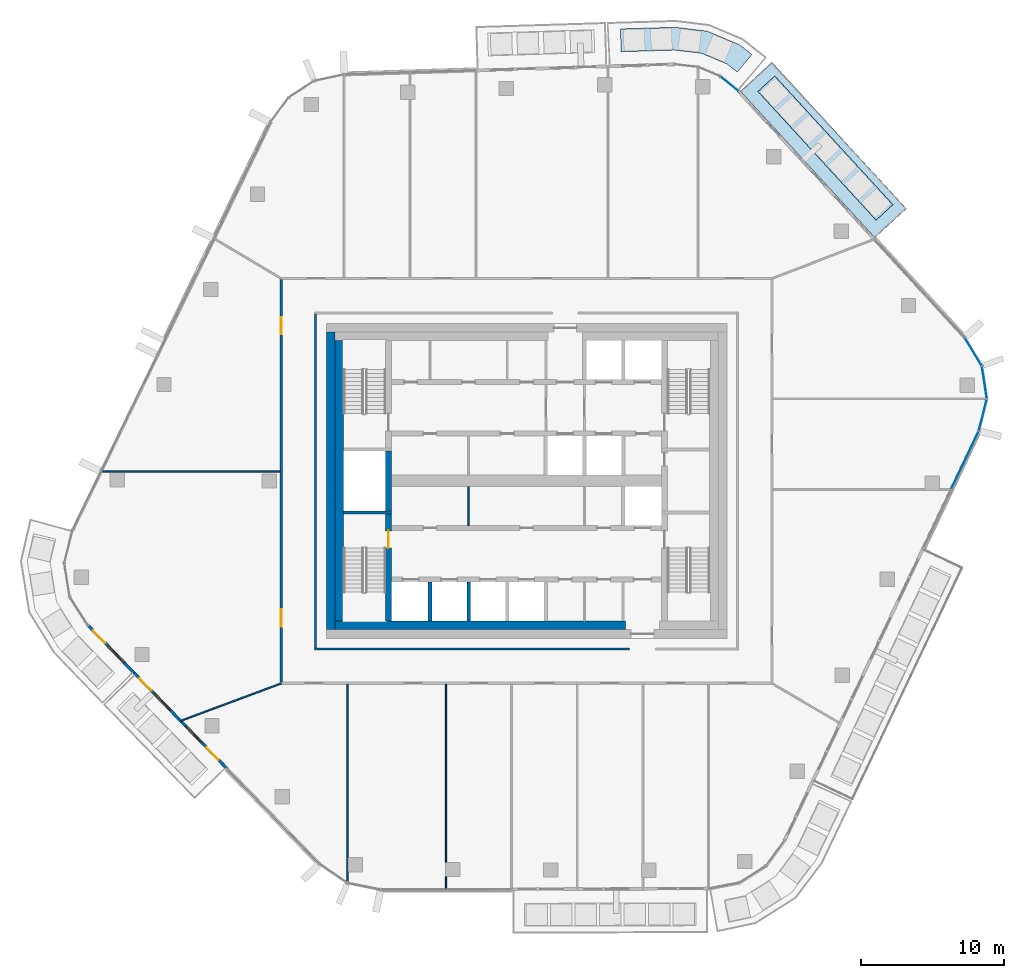
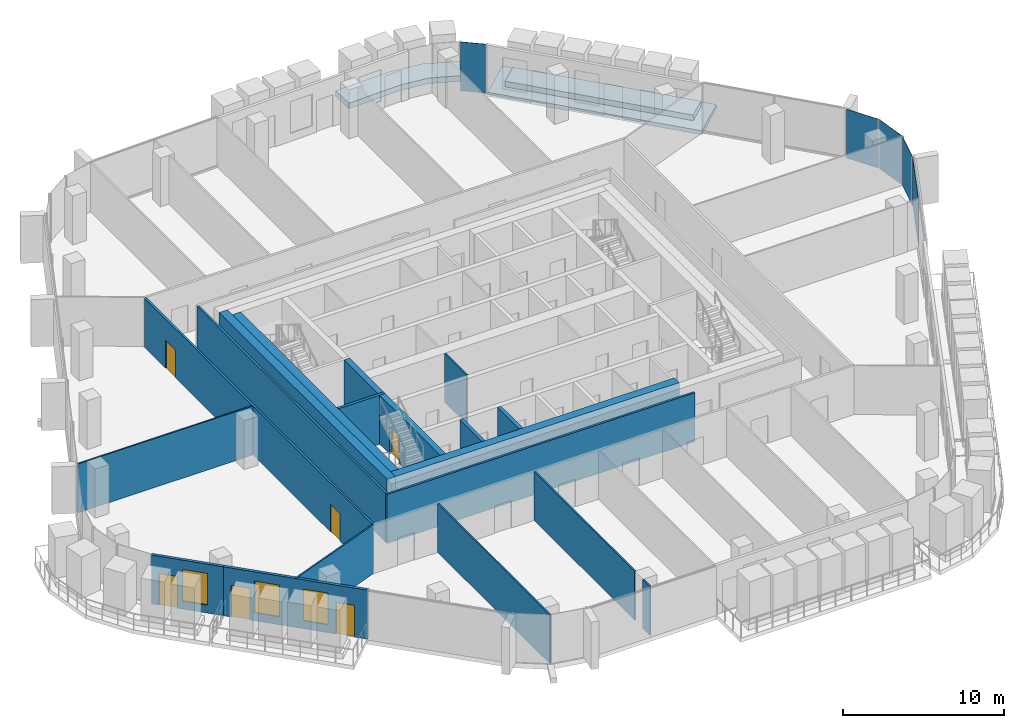
# One storey, part 12 of 24: 19 walls, 6 doors, 5 plates, 3 slabs, 3 windows, 9 openings, 3 elements without a shape of their own.
"""IFC4 building model written with IfcOpenShell, lengths in metres."""

from ifc_helpers import new_model, si_unit, direction, frame, frame_2d, origin, origin_2d, place, context, subcontext, project, spatial, polyline, rectangle, outline, extrude, material, layer, layer_set, type_object, element, fill, aggregate, save


model = new_model("IFC4")

# Units and contexts
model_context = context("Model", 3, precision=1e-05, world=origin(), true_north=direction((0.0, 1.0)))
body_context = subcontext(model_context, "Body", "Model", "MODEL_VIEW")
ifc_project = project(units=[si_unit("LENGTHUNIT", "METRE"), si_unit("AREAUNIT", "SQUARE_METRE"), si_unit("VOLUMEUNIT", "CUBIC_METRE"), si_unit("PLANEANGLEUNIT", "RADIAN"), si_unit("MASSUNIT", "GRAM", prefix="KILO")], contexts=[model_context])

# Site, building, storey
site_placement = place(None, origin())
site = spatial("IfcSite", under=ifc_project, at=site_placement, CompositionType="ELEMENT")
building_placement = place(site_placement, origin())
building = spatial("IfcBuilding", under=site, at=building_placement, Name="Dongbaek Canopy Tower", CompositionType="ELEMENT")
storey_placement = place(building_placement, frame((0.0, 0.0, 348.800048828125)))
storey = spatial("IfcBuildingStorey", under=building, at=storey_placement, Name="L75", CompositionType="ELEMENT", Elevation=348.800048828125)

# Slab
ifc_material_1 = material(Name="Concrete C40/50", Category="concrete")
ifc_layer_1 = layer(ifc_material_1, 0.300048828125)
ifc_layer_set_1 = layer_set([ifc_layer_1], Name="Balcony slab 300")
slab_type_1 = type_object("IfcSlabType", Name="Balcony slab 300", PredefinedType="FLOOR", material=ifc_layer_set_1)
slab_1_placement = place(storey_placement, frame((0.0, 0.0, -0.300048828125)))
element("IfcSlab", 1, at=slab_1_placement, inside=storey, type_object=slab_type_1, Name="Balcony L75 1", PredefinedType="FLOOR", context=body_context, shape_type="SweptSolid", body=[
    extrude(outline(polyline([(24.352783203125, 17.00244140625), (14.942626953125, 27.250244140625), (17.15234375, 29.279296875), (26.5625, 19.03173828125), (24.352783203125, 17.00244140625)])), origin(), (0.0, 0.0, 1.0), 0.300048828125),
])

# Curtain wall, plates
ifc_material_2 = material(Name="Aluminium 6063-T6 pale anodised", Category="aluminium")
ifc_layer_2 = layer(ifc_material_2, 0.199951171875)
ifc_layer_set_2 = layer_set([ifc_layer_2], Name="CW-1 unitised tower curtain wall")
curtain_wall_type = type_object("IfcCurtainWallType", Name="CW-1 unitised tower curtain wall", PredefinedType="NOTDEFINED", material=ifc_layer_set_2)
curtain_wall_1_placement = place(storey_placement, origin())
curtain_wall_1 = element("IfcCurtainWall", 2, at=curtain_wall_1_placement, inside=storey, type_object=curtain_wall_type, Name="CW-1 curtain wall K0.1", PredefinedType="NOTDEFINED")
ifc_material_3 = material(Name="Clear laminated glass", Category="glass")
ifc_layer_3 = layer(ifc_material_3, 0.028076171875)
ifc_layer_set_3 = layer_set([ifc_layer_3], Name="CW-1 glazed panel 28")
plate_type = type_object("IfcPlateType", Name="CW-1 glazed panel 28", PredefinedType="CURTAIN_PANEL", material=ifc_layer_set_3)
plate_1_placement = place(storey_placement, frame((31.89453125, 4.61767578125, 0.0), z_axis=(0.0, 0.0, 1.0), x_axis=(0.242793233587, 0.970078061665, 0.0)))
plate_1 = element("IfcPlate", 3, at=plate_1_placement, type_object=plate_type, Name="CW-1 panel K0.1.1.1", PredefinedType="CURTAIN_PANEL", context=body_context, shape_type="SweptSolid", body=[
    extrude(rectangle(XDim=2.241943359375, YDim=0.028076171875, at=origin_2d()), origin(), (0.0, 0.0, 1.0), 3.699951171875),
])
plate_2_placement = place(storey_placement, frame((32.00390625, 6.890869140625, 0.0), z_axis=(0.0, 0.0, 1.0), x_axis=(-0.149418389045, 0.988774061662, 0.0)))
plate_2 = element("IfcPlate", 4, at=plate_2_placement, type_object=plate_type, Name="CW-1 panel K0.1.2.1", PredefinedType="CURTAIN_PANEL", context=body_context, shape_type="SweptSolid", body=[
    extrude(rectangle(XDim=2.23193359375, YDim=0.028076171875, at=origin_2d()), origin(), (0.0, 0.0, 1.0), 3.699951171875),
])
plate_3_placement = place(storey_placement, frame((31.227783203125, 9.030029296875, 0.0), z_axis=(0.0, 0.0, 1.0), x_axis=(-0.518592759576, 0.855021373835, 0.0)))
plate_3 = element("IfcPlate", 5, at=plate_3_placement, type_object=plate_type, Name="CW-1 panel K0.1.3.1", PredefinedType="CURTAIN_PANEL", context=body_context, shape_type="SweptSolid", body=[
    extrude(rectangle(XDim=2.241943359375, YDim=0.028076171875, at=origin_2d()), origin(), (0.0, 0.0, 1.0), 3.699951171875),
])
aggregate(curtain_wall_1, [plate_1, plate_2, plate_3])

# Curtain wall, plate
curtain_wall_2_placement = place(storey_placement, origin())
curtain_wall_2 = element("IfcCurtainWall", 6, at=curtain_wall_2_placement, inside=storey, type_object=curtain_wall_type, Name="CW-1 curtain wall K1.1", PredefinedType="NOTDEFINED")
plate_4_placement = place(storey_placement, frame((14.185302734375, 27.748779296875, 0.0), z_axis=(0.0, 0.0, 1.0), x_axis=(-0.774535945331, 0.632529896044, 0.0)))
plate_4 = element("IfcPlate", 7, at=plate_4_placement, type_object=plate_type, Name="CW-1 panel K1.1.1.1", PredefinedType="CURTAIN_PANEL", context=body_context, shape_type="SweptSolid", body=[
    extrude(rectangle(XDim=1.6064453125, YDim=0.028076171875, at=origin_2d()), origin(), (0.0, 0.0, 1.0), 3.699951171875),
])
aggregate(curtain_wall_2, [plate_4])

curtain_wall_3_placement = place(storey_placement, origin())
curtain_wall_3 = element("IfcCurtainWall", 8, at=curtain_wall_3_placement, inside=storey, type_object=curtain_wall_type, Name="CW-1 curtain wall F5.1", PredefinedType="NOTDEFINED")
plate_5_placement = place(storey_placement, frame((30.644287109375, 1.448974609375, 0.119873046875), z_axis=(0.0, 0.0, 1.0), x_axis=(0.428521992738, 0.903531350723, 0.0)))
plate_5 = element("IfcPlate", 9, at=plate_5_placement, type_object=plate_type, Name="CW-1 panel F5.1.2.1", PredefinedType="CURTAIN_PANEL", context=body_context, shape_type="SweptSolid", body=[
    extrude(rectangle(XDim=4.432861328125, YDim=0.028076171875, at=origin_2d()), origin(), (0.0, 0.0, 1.0), 3.580078125),
])
aggregate(curtain_wall_3, [plate_5])

# Slabs
ifc_material_4 = material(Name="Reinforced concrete C40/50 planter box with soil", Category="concrete")
ifc_layer_4 = layer(ifc_material_4, 0.419921875)
ifc_layer_set_4 = layer_set([ifc_layer_4], Name="Terrace planter box 1600 x 420")
slab_type_2 = type_object("IfcSlabType", Name="Terrace planter box 1600 x 420", PredefinedType="USERDEFINED", material=ifc_layer_set_4)
slab_2_placement = place(storey_placement, origin())
element("IfcSlab", 10, at=slab_2_placement, inside=storey, type_object=slab_type_2, Name="Balcony planter L75 1", ObjectType="PLANTER", PredefinedType="USERDEFINED", context=body_context, shape_type="SweptSolid", body=[
    extrude(outline(polyline([(24.433349609375, 18.23046875), (16.173095703125, 27.22607421875), (17.3515625, 28.30810546875), (25.61181640625, 19.312744140625), (24.433349609375, 18.23046875)])), origin(), (0.0, 0.0, 1.0), 0.419921875),
])
slab_3_placement = place(storey_placement, origin())
element("IfcSlab", 11, at=slab_3_placement, inside=storey, type_object=slab_type_2, Name="Balcony planter L75 6", ObjectType="PLANTER", PredefinedType="USERDEFINED", context=body_context, shape_type="SweptSolid", body=[
    extrude(outline(polyline([(14.736083984375, 28.5771484375), (14.04150390625, 29.132568359375), (12.2294921875, 29.8955078125), (10.339599609375, 30.115234375), (6.61083984375, 30.001708984375), (6.561279296875, 31.60107421875), (10.404296875, 31.7138671875), (12.633544921875, 31.443603515625), (14.866455078125, 30.50341796875), (15.748046875, 29.81640625), (14.736083984375, 28.5771484375)])), origin(), (0.0, 0.0, 1.0), 0.419921875),
])

# Walls
ifc_material_5 = material(Name="Concrete C80/95", Category="concrete")
ifc_layer_5 = layer(ifc_material_5, 0.60009765625)
ifc_layer_set_5 = layer_set([ifc_layer_5], Name="Core outer wall 600 Concrete C80/95")
wall_type_1 = type_object("IfcWallType", Name="Core outer wall 600 Concrete C80/95", PredefinedType="SHEAR", material=ifc_layer_set_5)
wall_1_placement = place(storey_placement, frame((-13.699951171875, -10.39990234375, 0.0), z_axis=(0.0, 0.0, 1.0), x_axis=(0.0, 1.0, 0.0)))
element("IfcWall", 12, at=wall_1_placement, inside=storey, type_object=wall_type_1, Name="Core wall", PredefinedType="SHEAR", context=body_context, shape_type="SweptSolid", body=[
    extrude(rectangle(XDim=20.7998046875, YDim=0.60009765625, at=frame_2d((10.39990234375, 0.0))), origin(), (0.0, 0.0, 1.0), 3.699951171875),
])
ifc_material_6 = material(Name="Concrete C60/75", Category="concrete")
ifc_layer_6 = layer(ifc_material_6, 0.60009765625)
ifc_layer_set_6 = layer_set([ifc_layer_6], Name="Core wall lining 600 Concrete C60/75")
wall_type_2 = type_object("IfcWallType", Name="Core wall lining 600 Concrete C60/75", PredefinedType="SHEAR", material=ifc_layer_set_6)
wall_2_placement = place(storey_placement, frame((6.89990234375, -10.10009765625, 0.0), z_axis=(0.0, 0.0, 1.0), x_axis=(-1.0, 0.0, 0.0)))
element("IfcWall", 13, at=wall_2_placement, inside=storey, type_object=wall_type_2, Name="Core wall lining", PredefinedType="SHEAR", context=body_context, shape_type="SweptSolid", body=[
    extrude(rectangle(XDim=20.2998046875, YDim=0.60009765625, at=frame_2d((10.14990234375, 0.0))), origin(), (0.0, 0.0, 1.0), 3.699951171875),
])
wall_3_placement = place(storey_placement, frame((-13.10009765625, -9.800048828125, 0.0), z_axis=(0.0, 0.0, 1.0), x_axis=(0.0, 1.0, 0.0)))
element("IfcWall", 14, at=wall_3_placement, inside=storey, type_object=wall_type_2, Name="Core wall lining", PredefinedType="SHEAR", context=body_context, shape_type="SweptSolid", body=[
    extrude(rectangle(XDim=19.60009765625, YDim=0.60009765625, at=frame_2d((9.800048828125, 0.0))), origin(), (0.0, 0.0, 1.0), 3.699951171875),
])
ifc_material_7 = material(Name="Gypsum board partition, steel stud, 2 x 15 mm fire board", Category="steel")
ifc_layer_7 = layer(ifc_material_7, 0.14990234375)
ifc_layer_set_7 = layer_set([ifc_layer_7], Name="Fire-rated partition 150 gypsum board")
wall_type_3 = type_object("IfcWallType", Name="Fire-rated partition 150 gypsum board", PredefinedType="PARTITIONING", material=ifc_layer_set_7)
wall_4_placement = place(storey_placement, frame((-14.824951171875, -11.75, 0.0), z_axis=(0.0, 0.0, 1.0), x_axis=(1.0, 0.0, 0.0)))
element("IfcWall", 15, at=wall_4_placement, inside=storey, type_object=wall_type_3, Name="Corridor partition", PredefinedType="PARTITIONING", context=body_context, shape_type="SweptSolid", body=[
    extrude(rectangle(XDim=22.02490234375, YDim=0.14990234375, at=frame_2d((11.012451171875, 0.0))), origin(), (0.0, 0.0, 1.0), 3.699951171875),
])
wall_5_placement = place(storey_placement, frame((-14.75, -11.675048828125, 0.0), z_axis=(0.0, 0.0, 1.0), x_axis=(0.0, 1.0, 0.0)))
element("IfcWall", 16, at=wall_5_placement, inside=storey, type_object=wall_type_3, Name="Corridor partition", PredefinedType="PARTITIONING", context=body_context, shape_type="SweptSolid", body=[
    extrude(rectangle(XDim=23.35009765625, YDim=0.14990234375, at=frame_2d((11.675048828125, 0.0))), origin(), (0.0, 0.0, 1.0), 3.699951171875),
])

# Wall, openings, doors
wall_6_placement = place(storey_placement, frame((-17.14990234375, -14.074951171875, 0.0), z_axis=(0.0, 0.0, 1.0), x_axis=(0.0, 1.0, 0.0)))
wall_6 = element("IfcWall", 17, at=wall_6_placement, inside=storey, type_object=wall_type_3, Name="Corridor partition", PredefinedType="PARTITIONING", context=body_context, shape_type="SweptSolid", body=[
    extrude(rectangle(XDim=28.14990234375, YDim=0.14990234375, at=frame_2d((14.074951171875, 0.0))), origin(), (0.0, 0.0, 1.0), 3.699951171875),
])
opening_1_placement = place(wall_6_placement, frame((3.890869140625, 0.0, 0.0)))
opening_1 = element("IfcOpeningElement", 18, at=opening_1_placement, cuts=wall_6, Name="Opening L75-D001", PredefinedType="OPENING", context=body_context, shape_type="SweptSolid", body=[
    extrude(rectangle(XDim=1.199951171875, YDim=2.10009765625, at=frame_2d((0.60009765625, 1.050048828125))), frame((0.0, 0.0849609375, 0.0), z_axis=(0.0, -1.0, 0.0), x_axis=(1.0, 0.0, 0.0)), (0.0, 0.0, 1.0), 0.169921875),
])
opening_2_placement = place(wall_6_placement, frame((24.31201171875, 0.0, 0.0)))
opening_2 = element("IfcOpeningElement", 19, at=opening_2_placement, cuts=wall_6, Name="Opening L75-D018", PredefinedType="OPENING", context=body_context, shape_type="SweptSolid", body=[
    extrude(rectangle(XDim=1.199951171875, YDim=2.10009765625, at=frame_2d((0.60009765625, 1.050048828125))), frame((0.0, 0.0849609375, 0.0), z_axis=(0.0, -1.0, 0.0), x_axis=(1.0, 0.0, 0.0)), (0.0, 0.0, 1.0), 0.169921875),
])
ifc_material_8 = material(Name="Timber veneered door leaf", Category="wood")
door_type_1 = type_object("IfcDoorType", Name="Room door 1200 x 2100", OperationType="SINGLE_SWING_LEFT", PredefinedType="DOOR", material=ifc_material_8)
door_1_placement = place(opening_1_placement, origin())
door_1 = element("IfcDoor", 20, at=door_1_placement, inside=storey, type_object=door_type_1, Name="Door L75-D001", OperationType="SINGLE_SWING_RIGHT", OverallHeight=2.10009765625, OverallWidth=1.199951171875, PredefinedType="DOOR", context=body_context, shape_type="SweptSolid", body=[
    extrude(rectangle(XDim=1.199951171875, YDim=2.10009765625, at=frame_2d((0.60009765625, 1.050048828125))), frame((0.0, 0.02490234375, 0.0), z_axis=(0.0, -1.0, 0.0), x_axis=(1.0, 0.0, 0.0)), (0.0, 0.0, 1.0), 0.050048828125),
])
fill(opening_1, door_1)
door_2_placement = place(opening_2_placement, origin())
door_2 = element("IfcDoor", 21, at=door_2_placement, inside=storey, type_object=door_type_1, Name="Door L75-D018", OperationType="SINGLE_SWING_LEFT", OverallHeight=2.10009765625, OverallWidth=1.199951171875, PredefinedType="DOOR", context=body_context, shape_type="SweptSolid", body=[
    extrude(rectangle(XDim=1.199951171875, YDim=2.10009765625, at=frame_2d((0.60009765625, 1.050048828125))), frame((0.0, 0.02490234375, 0.0), z_axis=(0.0, -1.0, 0.0), x_axis=(1.0, 0.0, 0.0)), (0.0, 0.0, 1.0), 0.050048828125),
])
fill(opening_2, door_2)

# Walls
ifc_material_9 = material(Name="Concrete C40/50", Category="concrete")
ifc_layer_8 = layer(ifc_material_9, 0.25)
ifc_layer_set_8 = layer_set([ifc_layer_8], Name="Lift shaft wall 250 Concrete C40/50")
wall_type_4 = type_object("IfcWallType", Name="Lift shaft wall 250 Concrete C40/50", PredefinedType="SOLIDWALL", material=ifc_layer_set_8)
for number, where, z_axis, x_axis, name in (
    (22, (-4.050048828125, -9.800048828125, 0.0), (0.0, 0.0, 1.0), (0.0, 1.0, 0.0), "Lift shaft wall"),
    (23, (-6.75, -9.800048828125, 0.0), (0.0, 0.0, 1.0), (0.0, 1.0, 0.0), "Lift shaft wall"),
):
    element("IfcWall", number, at=place(storey_placement, frame(where, z_axis=z_axis, x_axis=x_axis)), inside=storey, type_object=wall_type_4, Name=name, PredefinedType="SOLIDWALL", context=body_context, shape_type="SweptSolid", body=[
        extrude(rectangle(XDim=2.72509765625, YDim=0.25, at=frame_2d((1.362548828125, 0.0))), origin(), (0.0, 0.0, 1.0), 3.699951171875),
    ])
ifc_material_10 = material(Name="Gypsum board partition, steel stud, 2 x 12.5 mm board", Category="steel")
ifc_layer_9 = layer(ifc_material_10, 0.10009765625)
ifc_layer_set_9 = layer_set([ifc_layer_9], Name="Partition 100 gypsum board")
wall_type_5 = type_object("IfcWallType", Name="Partition 100 gypsum board", PredefinedType="PARTITIONING", material=ifc_layer_set_9)
wall_7_placement = place(storey_placement, frame((-29.732177734375, 0.656005859375, 0.0), z_axis=(0.0, 0.0, 1.0), x_axis=(1.0, 0.0, 0.0)))
element("IfcWall", 24, at=wall_7_placement, inside=storey, type_object=wall_type_5, Name="Partition", PredefinedType="PARTITIONING", context=body_context, shape_type="SweptSolid", body=[
    extrude(rectangle(XDim=12.507080078125, YDim=0.10009765625, at=frame_2d((6.25341796875, 0.0))), origin(), (0.0, 0.0, 1.0), 3.699951171875),
])
wall_8_placement = place(storey_placement, frame((-24.163818359375, -16.767333984375, 0.0), z_axis=(0.0, 0.0, 1.0), x_axis=(0.936910882714, 0.349568302127, 0.0)))
element("IfcWall", 25, at=wall_8_placement, inside=storey, type_object=wall_type_5, Name="Partition", PredefinedType="PARTITIONING", context=body_context, shape_type="SweptSolid", body=[
    extrude(rectangle(XDim=7.486328125, YDim=0.10009765625, at=frame_2d((3.7431640625, 0.0))), origin(), (0.0, 0.0, 1.0), 3.699951171875),
])
wall_9_placement = place(storey_placement, frame((-5.632080078125, -28.539794921875, 0.0), z_axis=(0.0, 0.0, 1.0), x_axis=(0.0, 1.0, 0.0)))
element("IfcWall", 26, at=wall_9_placement, inside=storey, type_object=wall_type_5, Name="Partition", PredefinedType="PARTITIONING", context=body_context, shape_type="SweptSolid", body=[
    extrude(rectangle(XDim=0.872802734375, YDim=0.10009765625, at=frame_2d((0.4365234375, 0.0))), origin(), (0.0, 0.0, 1.0), 3.699951171875),
])
wall_10_placement = place(storey_placement, frame((-5.632080078125, -26.6669921875, 0.0), z_axis=(0.0, 0.0, 1.0), x_axis=(0.0, 1.0, 0.0)))
element("IfcWall", 27, at=wall_10_placement, inside=storey, type_object=wall_type_5, Name="Partition", PredefinedType="PARTITIONING", context=body_context, shape_type="SweptSolid", body=[
    extrude(rectangle(XDim=12.44189453125, YDim=0.10009765625, at=frame_2d((6.220947265625, 0.0))), origin(), (0.0, 0.0, 1.0), 3.699951171875),
])
wall_11_placement = place(storey_placement, frame((-12.529052734375, -28.0849609375, 0.0), z_axis=(0.0, 0.0, 1.0), x_axis=(0.0, 1.0, 0.0)))
element("IfcWall", 28, at=wall_11_placement, inside=storey, type_object=wall_type_5, Name="Partition", PredefinedType="PARTITIONING", context=body_context, shape_type="SweptSolid", body=[
    extrude(rectangle(XDim=13.85986328125, YDim=0.10009765625, at=frame_2d((6.929931640625, 0.0))), origin(), (0.0, 0.0, 1.0), 3.699951171875),
])
wall_12_placement = place(storey_placement, frame((-4.050048828125, -3.125, 0.0), z_axis=(0.0, 0.0, 1.0), x_axis=(0.0, 1.0, 0.0)))
element("IfcWall", 29, at=wall_12_placement, inside=storey, type_object=wall_type_5, Name="Core partition", PredefinedType="PARTITIONING", context=body_context, shape_type="SweptSolid", body=[
    extrude(rectangle(XDim=2.72509765625, YDim=0.10009765625, at=frame_2d((1.362548828125, 0.0))), origin(), (0.0, 0.0, 1.0), 3.699951171875),
])
ifc_material_11 = material(Name="Concrete C60/75", Category="concrete")
ifc_layer_10 = layer(ifc_material_11, 0.199951171875)
ifc_layer_set_10 = layer_set([ifc_layer_10], Name="Riser wall 200 Concrete C60/75")
wall_type_6 = type_object("IfcWallType", Name="Riser wall 200 Concrete C60/75", PredefinedType="SHEAR", material=ifc_layer_set_10)
wall_13_placement = place(storey_placement, frame((-9.449951171875, -2.199951171875, 0.0), z_axis=(0.0, 0.0, 1.0), x_axis=(-1.0, 0.0, 0.0)))
element("IfcWall", 30, at=wall_13_placement, inside=storey, type_object=wall_type_6, Name="Riser wall", PredefinedType="SHEAR", context=body_context, shape_type="SweptSolid", body=[
    extrude(rectangle(XDim=3.35009765625, YDim=0.199951171875, at=frame_2d((1.675048828125, 0.0))), origin(), (0.0, 0.0, 1.0), 3.699951171875),
])

# Wall, opening, door
ifc_material_12 = material(Name="Concrete C60/75", Category="concrete")
ifc_layer_11 = layer(ifc_material_12, 0.39990234375)
ifc_layer_set_11 = layer_set([ifc_layer_11], Name="Stair wall 400 Concrete C60/75")
wall_type_7 = type_object("IfcWallType", Name="Stair wall 400 Concrete C60/75", PredefinedType="SHEAR", material=ifc_layer_set_11)
wall_14_placement = place(storey_placement, frame((-9.64990234375, -9.800048828125, 0.0), z_axis=(0.0, 0.0, 1.0), x_axis=(0.0, 1.0, 0.0)))
wall_14 = element("IfcWall", 31, at=wall_14_placement, inside=storey, type_object=wall_type_7, Name="Stair wall", PredefinedType="SHEAR", context=body_context, shape_type="SweptSolid", body=[
    extrude(rectangle(XDim=7.5, YDim=0.39990234375, at=frame_2d((3.75, 0.0))), origin(), (0.0, 0.0, 1.0), 3.699951171875),
])
opening_3_placement = place(wall_14_placement, frame((5.10009765625, 0.0, 0.0)))
opening_3 = element("IfcOpeningElement", 32, at=opening_3_placement, cuts=wall_14, Name="Opening L75-D047", PredefinedType="OPENING", context=body_context, shape_type="SweptSolid", body=[
    extrude(rectangle(XDim=1.199951171875, YDim=2.10009765625, at=frame_2d((0.60009765625, 1.050048828125))), frame((0.0, 0.2099609375, 0.0), z_axis=(0.0, -1.0, 0.0), x_axis=(1.0, 0.0, 0.0)), (0.0, 0.0, 1.0), 0.419921875),
])
ifc_material_13 = material(Name="Steel", Category="steel")
door_type_2 = type_object("IfcDoorType", Name="Stair door 1200 x 2100", OperationType="SINGLE_SWING_LEFT", PredefinedType="DOOR", material=ifc_material_13)
door_3_placement = place(opening_3_placement, origin())
door_3 = element("IfcDoor", 33, at=door_3_placement, inside=storey, type_object=door_type_2, Name="Stair D door", OperationType="SINGLE_SWING_LEFT", OverallHeight=2.10009765625, OverallWidth=1.199951171875, PredefinedType="DOOR", context=body_context, shape_type="SweptSolid", body=[
    extrude(rectangle(XDim=1.199951171875, YDim=2.10009765625, at=frame_2d((0.60009765625, 1.050048828125))), frame((0.0, 0.02490234375, 0.0), z_axis=(0.0, -1.0, 0.0), x_axis=(1.0, 0.0, 0.0)), (0.0, 0.0, 1.0), 0.050048828125),
])
fill(opening_3, door_3)

# Wall
wall_15_placement = place(storey_placement, frame((-9.64990234375, -2.10009765625, 0.0), z_axis=(0.0, 0.0, 1.0), x_axis=(0.0, 1.0, 0.0)))
element("IfcWall", 34, at=wall_15_placement, inside=storey, type_object=wall_type_7, Name="Stair wall", PredefinedType="SHEAR", context=body_context, shape_type="SweptSolid", body=[
    extrude(rectangle(XDim=4.2001953125, YDim=0.39990234375, at=frame_2d((2.10009765625, 0.0))), origin(), (0.0, 0.0, 1.0), 3.699951171875),
])

# Wall, openings, doors, windows
ifc_material_14 = material(Name="Aluminium window wall", Category="aluminium")
ifc_layer_12 = layer(ifc_material_14, 0.199951171875)
ifc_layer_set_12 = layer_set([ifc_layer_12], Name="Window wall 200")
wall_type_8 = type_object("IfcWallType", Name="Window wall 200", PredefinedType="SOLIDWALL", material=ifc_layer_set_12)
wall_16_placement = place(storey_placement, frame((-27.421630859375, -13.43798828125, 0.0), z_axis=(0.0, 0.0, 1.0), x_axis=(0.696377931732, -0.717675258175, 0.0)))
wall_16 = element("IfcWall", 35, at=wall_16_placement, inside=storey, type_object=wall_type_8, Name="Window wall L75 3", PredefinedType="SOLIDWALL", context=body_context, shape_type="SweptSolid", body=[
    extrude(rectangle(XDim=9.296875, YDim=0.199951171875, at=frame_2d((4.6484375, 0.0))), origin(), (0.0, 0.0, 1.0), 3.699951171875),
])
opening_4_placement = place(wall_16_placement, frame((2.0, 0.0, 0.60009765625)))
opening_4 = element("IfcOpeningElement", 36, at=opening_4_placement, cuts=wall_16, Name="Opening W1", PredefinedType="OPENING", context=body_context, shape_type="SweptSolid", body=[
    extrude(rectangle(XDim=1.60009765625, YDim=2.39990234375, at=frame_2d((0.800048828125, 1.199951171875))), frame((0.0, 0.10986328125, 0.0), z_axis=(0.0, -1.0, 0.0), x_axis=(1.0, 0.0, 0.0)), (0.0, 0.0, 1.0), 0.219970703125),
])
opening_5_placement = place(wall_16_placement, frame((0.5, 0.0, 0.0)))
opening_5 = element("IfcOpeningElement", 37, at=opening_5_placement, cuts=wall_16, Name="Opening L75-B07", PredefinedType="OPENING", context=body_context, shape_type="SweptSolid", body=[
    extrude(rectangle(XDim=1.199951171875, YDim=2.39990234375, at=frame_2d((0.60009765625, 1.199951171875))), frame((0.0, 0.10986328125, 0.0), z_axis=(0.0, -1.0, 0.0), x_axis=(1.0, 0.0, 0.0)), (0.0, 0.0, 1.0), 0.219970703125),
])
opening_6_placement = place(wall_16_placement, frame((5.1484375, 0.0, 0.60009765625)))
opening_6 = element("IfcOpeningElement", 38, at=opening_6_placement, cuts=wall_16, Name="Opening W1", PredefinedType="OPENING", context=body_context, shape_type="SweptSolid", body=[
    extrude(rectangle(XDim=1.60009765625, YDim=2.39990234375, at=frame_2d((0.800048828125, 1.199951171875))), frame((0.0, 0.10986328125, 0.0), z_axis=(0.0, -1.0, 0.0), x_axis=(1.0, 0.0, 0.0)), (0.0, 0.0, 1.0), 0.219970703125),
])
opening_7_placement = place(wall_16_placement, frame((7.24853515625, 0.0, 0.0)))
opening_7 = element("IfcOpeningElement", 39, at=opening_7_placement, cuts=wall_16, Name="Opening L75-B08", PredefinedType="OPENING", context=body_context, shape_type="SweptSolid", body=[
    extrude(rectangle(XDim=1.199951171875, YDim=2.39990234375, at=frame_2d((0.60009765625, 1.199951171875))), frame((0.0, 0.10986328125, 0.0), z_axis=(0.0, -1.0, 0.0), x_axis=(1.0, 0.0, 0.0)), (0.0, 0.0, 1.0), 0.219970703125),
])
ifc_material_15 = material(Name="Clear glazing in aluminium frame", Category="aluminium")
door_type_3 = type_object("IfcDoorType", Name="Balcony door BD1 1200 x 2400", OperationType="SLIDING_TO_LEFT", PredefinedType="DOOR", material=ifc_material_15)
door_4_placement = place(opening_5_placement, origin())
door_4 = element("IfcDoor", 40, at=door_4_placement, inside=storey, type_object=door_type_3, Name="Balcony door L75-B07", OperationType="SLIDING_TO_LEFT", OverallHeight=2.39990234375, OverallWidth=1.199951171875, PredefinedType="DOOR", context=body_context, shape_type="SweptSolid", body=[
    extrude(rectangle(XDim=1.199951171875, YDim=2.39990234375, at=frame_2d((0.60009765625, 1.199951171875))), frame((0.0, 0.02490234375, 0.0), z_axis=(0.0, -1.0, 0.0), x_axis=(1.0, 0.0, 0.0)), (0.0, 0.0, 1.0), 0.050048828125),
])
fill(opening_5, door_4)
door_5_placement = place(opening_7_placement, origin())
door_5 = element("IfcDoor", 41, at=door_5_placement, inside=storey, type_object=door_type_3, Name="Balcony door L75-B08", OperationType="SLIDING_TO_LEFT", OverallHeight=2.39990234375, OverallWidth=1.199951171875, PredefinedType="DOOR", context=body_context, shape_type="SweptSolid", body=[
    extrude(rectangle(XDim=1.199951171875, YDim=2.39990234375, at=frame_2d((0.60009765625, 1.199951171875))), frame((0.0, 0.02490234375, 0.0), z_axis=(0.0, -1.0, 0.0), x_axis=(1.0, 0.0, 0.0)), (0.0, 0.0, 1.0), 0.050048828125),
])
fill(opening_7, door_5)
ifc_material_16 = material(Name="Clear glazing in aluminium frame", Category="aluminium")
window_type = type_object("IfcWindowType", Name="Window W1 1600 x 2400", PartitioningType="SINGLE_PANEL", PredefinedType="WINDOW", material=ifc_material_16)
window_1_placement = place(opening_4_placement, origin())
window_1 = element("IfcWindow", 42, at=window_1_placement, inside=storey, type_object=window_type, Name="Window L75 3.1", OverallHeight=2.39990234375, OverallWidth=1.60009765625, PartitioningType="SINGLE_PANEL", PredefinedType="WINDOW", context=body_context, shape_type="SweptSolid", body=[
    extrude(rectangle(XDim=1.60009765625, YDim=2.39990234375, at=frame_2d((0.800048828125, 1.199951171875))), frame((0.0, 0.030029296875, 0.0), z_axis=(0.0, -1.0, 0.0), x_axis=(1.0, 0.0, 0.0)), (0.0, 0.0, 1.0), 0.06005859375),
])
fill(opening_4, window_1)
window_2_placement = place(opening_6_placement, origin())
window_2 = element("IfcWindow", 43, at=window_2_placement, inside=storey, type_object=window_type, Name="Window L75 3.2", OverallHeight=2.39990234375, OverallWidth=1.60009765625, PartitioningType="SINGLE_PANEL", PredefinedType="WINDOW", context=body_context, shape_type="SweptSolid", body=[
    extrude(rectangle(XDim=1.60009765625, YDim=2.39990234375, at=frame_2d((0.800048828125, 1.199951171875))), frame((0.0, 0.030029296875, 0.0), z_axis=(0.0, -1.0, 0.0), x_axis=(1.0, 0.0, 0.0)), (0.0, 0.0, 1.0), 0.06005859375),
])
fill(opening_6, window_2)

# Wall, openings, door, window
wall_17_placement = place(storey_placement, frame((-30.651611328125, -10.109130859375, 0.0), z_axis=(0.0, 0.0, 1.0), x_axis=(0.696367753757, -0.717685133974, 0.0)))
wall_17 = element("IfcWall", 44, at=wall_17_placement, inside=storey, type_object=wall_type_8, Name="Window wall L75 7", PredefinedType="SOLIDWALL", context=body_context, shape_type="SweptSolid", body=[
    extrude(rectangle(XDim=4.638427734375, YDim=0.199951171875, at=frame_2d((2.3193359375, 0.0))), origin(), (0.0, 0.0, 1.0), 3.699951171875),
])
opening_8_placement = place(wall_17_placement, frame((2.0, 0.0, 0.60009765625)))
opening_8 = element("IfcOpeningElement", 45, at=opening_8_placement, cuts=wall_17, Name="Opening W1", PredefinedType="OPENING", context=body_context, shape_type="SweptSolid", body=[
    extrude(rectangle(XDim=1.60009765625, YDim=2.39990234375, at=frame_2d((0.800048828125, 1.199951171875))), frame((0.0, 0.10986328125, 0.0), z_axis=(0.0, -1.0, 0.0), x_axis=(1.0, 0.0, 0.0)), (0.0, 0.0, 1.0), 0.219970703125),
])
opening_9_placement = place(wall_17_placement, frame((0.5, 0.0, 0.0)))
opening_9 = element("IfcOpeningElement", 46, at=opening_9_placement, cuts=wall_17, Name="Opening L75-B09", PredefinedType="OPENING", context=body_context, shape_type="SweptSolid", body=[
    extrude(rectangle(XDim=1.199951171875, YDim=2.39990234375, at=frame_2d((0.60009765625, 1.199951171875))), frame((0.0, 0.10986328125, 0.0), z_axis=(0.0, -1.0, 0.0), x_axis=(1.0, 0.0, 0.0)), (0.0, 0.0, 1.0), 0.219970703125),
])
door_6_placement = place(opening_9_placement, origin())
door_6 = element("IfcDoor", 47, at=door_6_placement, inside=storey, type_object=door_type_3, Name="Balcony door L75-B09", OperationType="SLIDING_TO_LEFT", OverallHeight=2.39990234375, OverallWidth=1.199951171875, PredefinedType="DOOR", context=body_context, shape_type="SweptSolid", body=[
    extrude(rectangle(XDim=1.199951171875, YDim=2.39990234375, at=frame_2d((0.60009765625, 1.199951171875))), frame((0.0, 0.02490234375, 0.0), z_axis=(0.0, -1.0, 0.0), x_axis=(1.0, 0.0, 0.0)), (0.0, 0.0, 1.0), 0.050048828125),
])
fill(opening_9, door_6)
window_3_placement = place(opening_8_placement, origin())
window_3 = element("IfcWindow", 48, at=window_3_placement, inside=storey, type_object=window_type, Name="Window L75 7.1", OverallHeight=2.39990234375, OverallWidth=1.60009765625, PartitioningType="SINGLE_PANEL", PredefinedType="WINDOW", context=body_context, shape_type="SweptSolid", body=[
    extrude(rectangle(XDim=1.60009765625, YDim=2.39990234375, at=frame_2d((0.800048828125, 1.199951171875))), frame((0.0, 0.030029296875, 0.0), z_axis=(0.0, -1.0, 0.0), x_axis=(1.0, 0.0, 0.0)), (0.0, 0.0, 1.0), 0.06005859375),
])
fill(opening_8, window_3)

save(model, "model.ifc")
